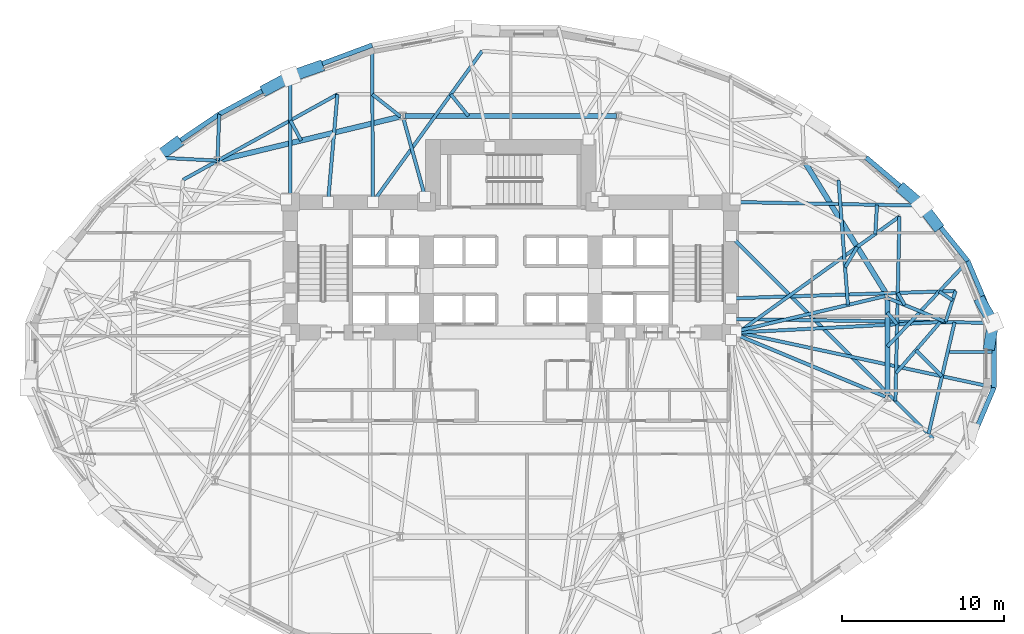
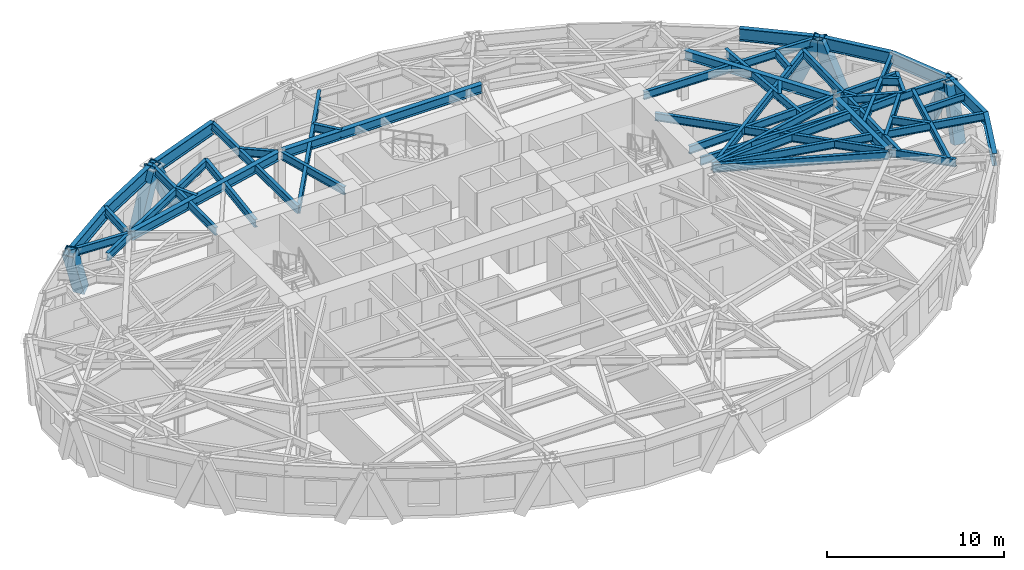
# One storey, part 4 of 14: 46 beams, 7 members.
"""IFC4 building model written with IfcOpenShell, lengths in metres."""

from ifc_helpers import new_model, si_unit, direction, frame, origin, origin_2d, place, context, subcontext, project, spatial, hollow_rectangle, i_section, extrude, material, material_profile, profile_set, type_object, element, save


model = new_model("IFC4")

# Units and contexts
model_context = context("Model", 3, precision=1e-05, world=origin(), true_north=direction((0.0, 1.0)))
body_context = subcontext(model_context, "Body", "Model", "MODEL_VIEW")
ifc_project = project(units=[si_unit("LENGTHUNIT", "METRE"), si_unit("AREAUNIT", "SQUARE_METRE"), si_unit("VOLUMEUNIT", "CUBIC_METRE"), si_unit("PLANEANGLEUNIT", "RADIAN"), si_unit("MASSUNIT", "GRAM", prefix="KILO")], contexts=[model_context])

# Site, building, storey
site_placement = place(None, origin())
site = spatial("IfcSite", under=ifc_project, at=site_placement, CompositionType="ELEMENT")
building_placement = place(site_placement, origin())
building = spatial("IfcBuilding", under=site, at=building_placement, Name="Keldmark Tower", CompositionType="ELEMENT")
storey_placement = place(building_placement, frame((0.0, 0.0, 66.60009765625)))
storey = spatial("IfcBuildingStorey", under=building, at=storey_placement, Name="L17", CompositionType="ELEMENT", Elevation=66.60009765625)

# Beam
ifc_material_1 = material(Name="Steel ASTM A992 Grade 50", Category="steel")
ifc_material_profile_1 = material_profile(ifc_material_1, i_section(OverallWidth=0.19091796875, OverallDepth=0.45703125, WebThickness=0.009033203125, FlangeThickness=0.014404296875, at=origin_2d()), Name="W18X50")
ifc_profile_set_1 = profile_set([ifc_material_profile_1], Name="Steel ASTM A992 Grade 50")
beam_type_1 = type_object("IfcBeamType", Name="Composite Floor Joist W18X50", PredefinedType="JOIST", material=ifc_profile_set_1)
beam_1_placement = place(storey_placement, frame((27.072998046875, 0.199951171875, 3.17138671875), z_axis=(1.0, 0.0, 0.0), x_axis=(0.0, 1.0, 0.0)))
element("IfcBeam", 1, at=beam_1_placement, inside=storey, type_object=beam_type_1, Name="L17 Composite Floor Joist J15", PredefinedType="JOIST", context=body_context, shape_type="SweptSolid", body=[
    extrude(i_section(OverallWidth=0.19091796875, OverallDepth=0.45703125, WebThickness=0.009033203125, FlangeThickness=0.014404296875, at=origin_2d()), origin(), (0.0, 0.0, 1.0), 2.62548828125),
])

# Members
ifc_material_2 = material(Name="Steel ASTM A572 Grade 50", Category="steel")
ifc_material_profile_2 = material_profile(ifc_material_2, hollow_rectangle(XDim=0.699951171875, YDim=0.699951171875, WallThickness=0.054931640625, at=origin_2d()), Name="BOX700X700X55")
ifc_profile_set_2 = profile_set([ifc_material_profile_2], Name="Steel ASTM A572 Grade 50")
member_type = type_object("IfcMemberType", Name="Diagrid Zone 1 Brace BOX700X700X55", PredefinedType="BRACE", material=ifc_profile_set_2)
member_1_placement = place(storey_placement, frame((29.0537109375, 3.239501953125, -0.280029296875), z_axis=(0.187953544679, -0.326027598968, 0.926487706208), x_axis=(0.866345766631, 0.499444704287, 0.0)))
element("IfcMember", 2, at=member_1_placement, inside=storey, type_object=member_type, Name="L17 Perimeter Diagrid Brace 01A", PredefinedType="BRACE", context=body_context, shape_type="SweptSolid", body=[
    extrude(hollow_rectangle(XDim=0.699951171875, YDim=0.699951171875, WallThickness=0.054931640625, at=origin_2d()), origin(), (0.0, 0.0, 1.0), 3.84228515625),
])
member_2_placement = place(storey_placement, frame((26.271728515625, 8.056884765625, -0.280029296875), z_axis=(-0.22735584107, 0.299794538336, 0.926516355126), x_axis=(-0.796786599817, -0.604260799946, 0.0)))
element("IfcMember", 3, at=member_2_placement, inside=storey, type_object=member_type, Name="L17 Perimeter Diagrid Brace 01B", PredefinedType="BRACE", context=body_context, shape_type="SweptSolid", body=[
    extrude(hollow_rectangle(XDim=0.699951171875, YDim=0.699951171875, WallThickness=0.054931640625, at=origin_2d()), origin(), (0.0, 0.0, 1.0), 3.842041015625),
])
member_3_placement = place(storey_placement, frame((24.240478515625, 10.19873046875, -0.280029296875), z_axis=(0.299808298026, -0.258238239896, 0.918383359981), x_axis=(0.652624686666, 0.757681343544, 0.0)))
element("IfcMember", 4, at=member_3_placement, inside=storey, type_object=member_type, Name="L17 Perimeter Diagrid Brace 02A", PredefinedType="BRACE", context=body_context, shape_type="SweptSolid", body=[
    extrude(hollow_rectangle(XDim=0.699951171875, YDim=0.699951171875, WallThickness=0.054931640625, at=origin_2d()), origin(), (0.0, 0.0, 1.0), 3.876220703125),
])
member_4_placement = place(storey_placement, frame((-11.890625, 17.795166015625, -0.280029296875), z_axis=(-0.425806134991, -0.148383276483, 0.89256458515), x_axis=(0.329068165057, -0.944306170024, 0.0)))
element("IfcMember", 5, at=member_4_placement, inside=storey, type_object=member_type, Name="L17 Perimeter Diagrid Brace 05B", PredefinedType="BRACE", context=body_context, shape_type="SweptSolid", body=[
    extrude(hollow_rectangle(XDim=0.699951171875, YDim=0.699951171875, WallThickness=0.054931640625, at=origin_2d()), origin(), (0.0, 0.0, 1.0), 3.98828125),
])
member_5_placement = place(storey_placement, frame((-15.0546875, 16.41943359375, -0.280029296875), z_axis=(0.375411091455, 0.200459220598, 0.90492132989), x_axis=(-0.471027177386, 0.882118698455, 0.0)))
element("IfcMember", 6, at=member_5_placement, inside=storey, type_object=member_type, Name="L17 Perimeter Diagrid Brace 06A", PredefinedType="BRACE", context=body_context, shape_type="SweptSolid", body=[
    extrude(hollow_rectangle(XDim=0.699951171875, YDim=0.699951171875, WallThickness=0.054931640625, at=origin_2d()), origin(), (0.0, 0.0, 1.0), 3.933837890625),
])
member_6_placement = place(storey_placement, frame((-20.639404296875, 13.082763671875, -0.280029296875), z_axis=(-0.323042224597, -0.237726911294, 0.916040193864), x_axis=(0.592707368721, -0.805417888468, 0.0)))
element("IfcMember", 7, at=member_6_placement, inside=storey, type_object=member_type, Name="L17 Perimeter Diagrid Brace 06B", PredefinedType="BRACE", context=body_context, shape_type="SweptSolid", body=[
    extrude(hollow_rectangle(XDim=0.699951171875, YDim=0.699951171875, WallThickness=0.054931640625, at=origin_2d()), origin(), (0.0, 0.0, 1.0), 3.885986328125),
])
member_7_placement = place(storey_placement, frame((29.561279296875, 0.665283203125, -0.280029296875), z_axis=(0.056364601936, 0.35017871578, 0.934985507194), x_axis=(-0.987292409265, 0.158914123374, 0.0)))
element("IfcMember", 8, at=member_7_placement, inside=storey, type_object=member_type, Name="L17 Perimeter Diagrid Brace 16B", PredefinedType="BRACE", context=body_context, shape_type="SweptSolid", body=[
    extrude(hollow_rectangle(XDim=0.699951171875, YDim=0.699951171875, WallThickness=0.054931640625, at=origin_2d()), origin(), (0.0, 0.0, 1.0), 3.807373046875),
])

# Beams
ifc_material_3 = material(Name="Steel ASTM A992 Grade 50", Category="steel")
ifc_material_profile_3 = material_profile(ifc_material_3, i_section(OverallWidth=0.323974609375, OverallDepth=0.611083984375, WebThickness=0.0126953125, FlangeThickness=0.01904296875, at=origin_2d()), Name="W24X104")
ifc_profile_set_3 = profile_set([ifc_material_profile_3], Name="Steel ASTM A992 Grade 50")
beam_type_2 = type_object("IfcBeamType", Name="Primary Floor Girder W24X104", PredefinedType="BEAM", material=ifc_profile_set_3)
beam_2_placement = place(storey_placement, frame((23.180419921875, 3.796142578125, 3.094482421875), z_axis=(-0.526318405849, 0.850287560573, 0.0), x_axis=(-0.850287560573, -0.526318405849, 0.0)))
element("IfcBeam", 9, at=beam_2_placement, inside=storey, type_object=beam_type_2, Name="L17 Floor Ring Girder FG-R01", PredefinedType="BEAM", context=body_context, shape_type="SweptSolid", body=[
    extrude(i_section(OverallWidth=0.323974609375, OverallDepth=0.611083984375, WebThickness=0.0126953125, FlangeThickness=0.01904296875, at=origin_2d()), origin(), (0.0, 0.0, 1.0), 9.51708984375),
])
beam_3_placement = place(storey_placement, frame((6.525146484375, 14.760009765625, 3.094482421875), z_axis=(-1.0, 0.0, 0.0), x_axis=(0.0, -1.0, 0.0)))
element("IfcBeam", 10, at=beam_3_placement, inside=storey, type_object=beam_type_2, Name="L17 Floor Ring Girder FG-R03", PredefinedType="BEAM", context=body_context, shape_type="SweptSolid", body=[
    extrude(i_section(OverallWidth=0.323974609375, OverallDepth=0.611083984375, WebThickness=0.0126953125, FlangeThickness=0.01904296875, at=origin_2d()), origin(), (0.0, 0.0, 1.0), 13.05029296875),
])
beam_4_placement = place(storey_placement, frame((-6.80126953125, 14.727294921875, 3.094482421875), z_axis=(-0.972218707757, -0.2340743136, 0.0), x_axis=(0.2340743136, -0.972218707757, 0.0)))
element("IfcBeam", 11, at=beam_4_placement, inside=storey, type_object=beam_type_2, Name="L17 Floor Ring Girder FG-R04", PredefinedType="BEAM", context=body_context, shape_type="SweptSolid", body=[
    extrude(i_section(OverallWidth=0.323974609375, OverallDepth=0.611083984375, WebThickness=0.0126953125, FlangeThickness=0.01904296875, at=origin_2d()), origin(), (0.0, 0.0, 1.0), 11.479248046875),
])
beam_5_placement = place(storey_placement, frame((23.25390625, -2.47314453125, 3.094482421875), z_axis=(0.0, 1.0, 0.0), x_axis=(-1.0, 0.0, 0.0)))
element("IfcBeam", 12, at=beam_5_placement, inside=storey, type_object=beam_type_2, Name="L17 Floor Ring Girder FG-R12", PredefinedType="BEAM", context=body_context, shape_type="SweptSolid", body=[
    extrude(i_section(OverallWidth=0.323974609375, OverallDepth=0.611083984375, WebThickness=0.0126953125, FlangeThickness=0.01904296875, at=origin_2d()), origin(), (0.0, 0.0, 1.0), 6.01025390625),
])
ifc_material_4 = material(Name="Steel ASTM A992 Grade 50", Category="steel")
ifc_material_profile_4 = material_profile(ifc_material_4, i_section(OverallWidth=0.2099609375, OverallDepth=0.537109375, WebThickness=0.010986328125, FlangeThickness=0.017333984375, at=origin_2d()), Name="W21X68")
ifc_profile_set_4 = profile_set([ifc_material_profile_4], Name="Steel ASTM A992 Grade 50")
beam_type_3 = type_object("IfcBeamType", Name="Radial Tie Girder W21X68", PredefinedType="BEAM", material=ifc_profile_set_4)
beam_6_placement = place(storey_placement, frame((20.816162109375, 3.102294921875, 3.13134765625), z_axis=(-0.075408551021, 0.99715272172, 0.0), x_axis=(-0.99715272172, -0.075408551021, 0.0)))
element("IfcBeam", 13, at=beam_6_placement, inside=storey, type_object=beam_type_3, Name="L17 Sub-Ring Step Girder STP1-M01", PredefinedType="BEAM", context=body_context, shape_type="SweptSolid", body=[
    extrude(i_section(OverallWidth=0.2099609375, OverallDepth=0.537109375, WebThickness=0.010986328125, FlangeThickness=0.017333984375, at=origin_2d()), origin(), (0.0, 0.0, 1.0), 7.740966796875),
])
beam_7_placement = place(storey_placement, frame((-11.278564453125, 9.449951171875, 3.13134765625), z_axis=(0.08664382052, 0.99623935295, 0.0), x_axis=(-0.99623935295, 0.08664382052, 0.0)))
element("IfcBeam", 14, at=beam_7_placement, inside=storey, type_object=beam_type_3, Name="L17 Sub-Ring Step Girder STP1-M05", PredefinedType="BEAM", context=body_context, shape_type="SweptSolid", body=[
    extrude(i_section(OverallWidth=0.2099609375, OverallDepth=0.537109375, WebThickness=0.010986328125, FlangeThickness=0.017333984375, at=origin_2d()), origin(), (0.0, 0.0, 1.0), 6.67529296875),
])
beam_8_placement = place(storey_placement, frame((-10.7001953125, 16.10009765625, 3.13134765625), z_axis=(-0.874813854329, -0.484459203932, 0.0), x_axis=(0.484459203932, -0.874813854329, 0.0)))
element("IfcBeam", 15, at=beam_8_placement, inside=storey, type_object=beam_type_3, Name="L17 Perimeter Collector Ring Beam CRG1-M05", PredefinedType="BEAM", context=body_context, shape_type="SweptSolid", body=[
    extrude(i_section(OverallWidth=0.2099609375, OverallDepth=0.537109375, WebThickness=0.010986328125, FlangeThickness=0.017333984375, at=origin_2d()), origin(), (0.0, 0.0, 1.0), 10.896240234375),
])
beam_9_placement = place(storey_placement, frame((20.64111328125, 5.41796875, 3.13134765625), z_axis=(0.510393160697, 0.859941173287, 0.0), x_axis=(-0.859941173287, 0.510393160697, 0.0)))
element("IfcBeam", 16, at=beam_9_placement, inside=storey, type_object=beam_type_3, Name="L17 Framing Pin Header PH-005", PredefinedType="BEAM", context=body_context, shape_type="SweptSolid", body=[
    extrude(i_section(OverallWidth=0.2099609375, OverallDepth=0.537109375, WebThickness=0.010986328125, FlangeThickness=0.017333984375, at=origin_2d()), origin(), (0.0, 0.0, 1.0), 1.472412109375),
])
beam_10_placement = place(storey_placement, frame((14.050048828125, 1.39990234375, 3.13134765625), z_axis=(0.811662400128, 0.584126825458, 0.0), x_axis=(-0.584126825458, 0.811662400128, 0.0)))
element("IfcBeam", 17, at=beam_10_placement, inside=storey, type_object=beam_type_3, Name="L17 Sub-Ring Step Girder STP2-M01", PredefinedType="BEAM", context=body_context, shape_type="SweptSolid", body=[
    extrude(i_section(OverallWidth=0.2099609375, OverallDepth=0.537109375, WebThickness=0.010986328125, FlangeThickness=0.017333984375, at=origin_2d()), origin(), (0.0, 0.0, 1.0), 12.256591796875),
])
beam_11_placement = place(storey_placement, frame((-2.610107421875, 14.760009765625, 3.13134765625), z_axis=(-0.630863986685, 0.775893440044, 0.0), x_axis=(-0.775893440044, -0.630863986685, 0.0)))
element("IfcBeam", 18, at=beam_11_placement, inside=storey, type_object=beam_type_3, Name="L17 Framing Pin Header PH-007", PredefinedType="BEAM", context=body_context, shape_type="SweptSolid", body=[
    extrude(i_section(OverallWidth=0.2099609375, OverallDepth=0.537109375, WebThickness=0.010986328125, FlangeThickness=0.017333984375, at=origin_2d()), origin(), (0.0, 0.0, 1.0), 1.72705078125),
])
beam_12_placement = place(storey_placement, frame((-8.507080078125, 9.449951171875, 3.13134765625), z_axis=(0.58585823843, 0.810413551506, 0.0), x_axis=(-0.810413551506, 0.58585823843, 0.0)))
element("IfcBeam", 19, at=beam_12_placement, inside=storey, type_object=beam_type_3, Name="L17 Sub-Ring Step Girder STP2-M04", PredefinedType="BEAM", context=body_context, shape_type="SweptSolid", body=[
    extrude(i_section(OverallWidth=0.2099609375, OverallDepth=0.537109375, WebThickness=0.010986328125, FlangeThickness=0.017333984375, at=origin_2d()), origin(), (0.0, 0.0, 1.0), 11.513671875),
])
beam_13_placement = place(storey_placement, frame((23.998291015625, 8.559326171875, 3.13134765625), z_axis=(-0.02194185427, -0.999759248535, 0.0), x_axis=(0.999759248535, -0.02194185427, 0.0)))
element("IfcBeam", 20, at=beam_13_placement, inside=storey, type_object=beam_type_3, Name="L17 Framing Pin Header PH-011", PredefinedType="BEAM", context=body_context, shape_type="SweptSolid", body=[
    extrude(i_section(OverallWidth=0.2099609375, OverallDepth=0.537109375, WebThickness=0.010986328125, FlangeThickness=0.017333984375, at=origin_2d()), origin(), (0.0, 0.0, 1.0), 11.382568359375),
])
beam_14_placement = place(storey_placement, frame((13.60009765625, 7.343017578125, 3.13134765625), z_axis=(0.706580876531, -0.707632294995, 0.0), x_axis=(0.707632294995, 0.706580876531, 0.0)))
element("IfcBeam", 21, at=beam_14_placement, inside=storey, type_object=beam_type_3, Name="L17 Sub-Ring Step Girder STP2-M12", PredefinedType="BEAM", context=body_context, shape_type="SweptSolid", body=[
    extrude(i_section(OverallWidth=0.2099609375, OverallDepth=0.537109375, WebThickness=0.010986328125, FlangeThickness=0.017333984375, at=origin_2d()), origin(), (0.0, 0.0, 1.0), 17.647216796875),
])
beam_15_placement = place(storey_placement, frame((23.25390625, 2.635498046875, 3.13134765625), z_axis=(0.633322212055, -0.773888219136, 0.0), x_axis=(0.773888219136, 0.633322212055, 0.0)))
element("IfcBeam", 22, at=beam_15_placement, inside=storey, type_object=beam_type_3, Name="L17 Framing Pin Header PH-012", PredefinedType="BEAM", context=body_context, shape_type="SweptSolid", body=[
    extrude(i_section(OverallWidth=0.2099609375, OverallDepth=0.537109375, WebThickness=0.010986328125, FlangeThickness=0.017333984375, at=origin_2d()), origin(), (0.0, 0.0, 1.0), 0.94482421875),
])
beam_16_placement = place(storey_placement, frame((14.050048828125, 1.39990234375, 3.13134765625), z_axis=(0.998679704981, 0.051369707604, 0.0), x_axis=(-0.051369707604, 0.998679704981, 0.0)))
element("IfcBeam", 23, at=beam_16_placement, inside=storey, type_object=beam_type_3, Name="L17 Intermediate Radial Step Girder RT-01M", PredefinedType="BEAM", context=body_context, shape_type="SweptSolid", body=[
    extrude(i_section(OverallWidth=0.2099609375, OverallDepth=0.537109375, WebThickness=0.010986328125, FlangeThickness=0.017333984375, at=origin_2d()), origin(), (0.0, 0.0, 1.0), 12.81298828125),
])
beam_17_placement = place(storey_placement, frame((23.25390625, 3.537109375, 3.13134765625), z_axis=(0.924693715852, -0.380711875128, 0.0), x_axis=(0.380711875128, 0.924693715852, 0.0)))
element("IfcBeam", 24, at=beam_17_placement, inside=storey, type_object=beam_type_3, Name="L17 Local Collector Chord RT-01C", PredefinedType="BEAM", context=body_context, shape_type="SweptSolid", body=[
    extrude(i_section(OverallWidth=0.2099609375, OverallDepth=0.537109375, WebThickness=0.010986328125, FlangeThickness=0.017333984375, at=origin_2d()), origin(), (0.0, 0.0, 1.0), 3.884765625),
])
beam_18_placement = place(storey_placement, frame((23.785888671875, -1.113525390625, 3.13134765625), z_axis=(0.653651893172, 0.756795350509, 0.0), x_axis=(-0.756795350509, 0.653651893172, 0.0)))
element("IfcBeam", 25, at=beam_18_placement, inside=storey, type_object=beam_type_3, Name="L17 Framing Pin Header PH-013", PredefinedType="BEAM", context=body_context, shape_type="SweptSolid", body=[
    extrude(i_section(OverallWidth=0.2099609375, OverallDepth=0.537109375, WebThickness=0.010986328125, FlangeThickness=0.017333984375, at=origin_2d()), origin(), (0.0, 0.0, 1.0), 4.168212890625),
])
beam_19_placement = place(storey_placement, frame((13.60009765625, 2.228515625, 3.13134765625), z_axis=(0.999894512941, -0.014524565037, 0.0), x_axis=(0.014524565037, 0.999894512941, 0.0)))
element("IfcBeam", 26, at=beam_19_placement, inside=storey, type_object=beam_type_3, Name="L17 Perimeter Radial Tie Girder RT-01", PredefinedType="BEAM", context=body_context, shape_type="SweptSolid", body=[
    extrude(i_section(OverallWidth=0.2099609375, OverallDepth=0.537109375, WebThickness=0.010986328125, FlangeThickness=0.017333984375, at=origin_2d()), origin(), (0.0, 0.0, 1.0), 16.2373046875),
])
beam_20_placement = place(storey_placement, frame((24.331787109375, 3.093505859375, 3.13134765625), z_axis=(-0.50308445147, 0.864237256018, 0.0), x_axis=(-0.864237256018, -0.50308445147, 0.0)))
element("IfcBeam", 27, at=beam_20_placement, inside=storey, type_object=beam_type_3, Name="L17 Framing Pin Header PH-014", PredefinedType="BEAM", context=body_context, shape_type="SweptSolid", body=[
    extrude(i_section(OverallWidth=0.2099609375, OverallDepth=0.537109375, WebThickness=0.010986328125, FlangeThickness=0.017333984375, at=origin_2d()), origin(), (0.0, 0.0, 1.0), 0.86865234375),
])
beam_21_placement = place(storey_placement, frame((13.60009765625, 3.507080078125, 3.13134765625), z_axis=(0.999463774483, 0.032743907784, 0.0), x_axis=(-0.032743907784, 0.999463774483, 0.0)))
element("IfcBeam", 28, at=beam_21_placement, inside=storey, type_object=beam_type_3, Name="L17 Intermediate Radial Step Girder RT-02M", PredefinedType="BEAM", context=body_context, shape_type="SweptSolid", body=[
    extrude(i_section(OverallWidth=0.2099609375, OverallDepth=0.537109375, WebThickness=0.010986328125, FlangeThickness=0.017333984375, at=origin_2d()), origin(), (0.0, 0.0, 1.0), 13.8681640625),
])
beam_22_placement = place(storey_placement, frame((26.84619140625, 2.05810546875, 3.13134765625), z_axis=(0.307387968013, 0.951584277466, 0.0), x_axis=(-0.951584277466, 0.307387968013, 0.0)))
element("IfcBeam", 29, at=beam_22_placement, inside=storey, type_object=beam_type_3, Name="L17 Local Collector Chord RT-02C", PredefinedType="BEAM", context=body_context, shape_type="SweptSolid", body=[
    extrude(i_section(OverallWidth=0.2099609375, OverallDepth=0.537109375, WebThickness=0.010986328125, FlangeThickness=0.017333984375, at=origin_2d()), origin(), (0.0, 0.0, 1.0), 2.0),
])
beam_23_placement = place(storey_placement, frame((27.276611328125, 3.39013671875, 3.13134765625), z_axis=(-0.837467453668, 0.546487203919, 0.0), x_axis=(-0.546487203919, -0.837467453668, 0.0)))
element("IfcBeam", 30, at=beam_23_placement, inside=storey, type_object=beam_type_3, Name="L17 Framing Pin Header PH-015", PredefinedType="BEAM", context=body_context, shape_type="SweptSolid", body=[
    extrude(i_section(OverallWidth=0.2099609375, OverallDepth=0.537109375, WebThickness=0.010986328125, FlangeThickness=0.017333984375, at=origin_2d()), origin(), (0.0, 0.0, 1.0), 0.984130859375),
])
beam_24_placement = place(storey_placement, frame((23.25390625, 0.531982421875, 3.13134765625), z_axis=(0.685622247374, 0.72795750831, 0.0), x_axis=(-0.72795750831, 0.685622247374, 0.0)))
element("IfcBeam", 31, at=beam_24_placement, inside=storey, type_object=beam_type_3, Name="L17 Perimeter Radial Tie Girder RT-02", PredefinedType="BEAM", context=body_context, shape_type="SweptSolid", body=[
    extrude(i_section(OverallWidth=0.2099609375, OverallDepth=0.537109375, WebThickness=0.010986328125, FlangeThickness=0.017333984375, at=origin_2d()), origin(), (0.0, 0.0, 1.0), 7.2431640625),
])
beam_25_placement = place(storey_placement, frame((22.506103515625, 7.485595703125, 3.13134765625), z_axis=(0.058881083405, 0.998265003903, 0.0), x_axis=(-0.998265003903, 0.058881083405, 0.0)))
element("IfcBeam", 32, at=beam_25_placement, inside=storey, type_object=beam_type_3, Name="L17 Framing Pin Header PH-016", PredefinedType="BEAM", context=body_context, shape_type="SweptSolid", body=[
    extrude(i_section(OverallWidth=0.2099609375, OverallDepth=0.537109375, WebThickness=0.010986328125, FlangeThickness=0.017333984375, at=origin_2d()), origin(), (0.0, 0.0, 1.0), 1.799560546875),
])
beam_26_placement = place(storey_placement, frame((14.050048828125, 9.449951171875, 3.13134765625), z_axis=(0.999807410188, -0.019625048594, 0.0), x_axis=(0.019625048594, 0.999807410188, 0.0)))
element("IfcBeam", 33, at=beam_26_placement, inside=storey, type_object=beam_type_3, Name="L17 Perimeter Radial Tie Girder RT-03", PredefinedType="BEAM", context=body_context, shape_type="SweptSolid", body=[
    extrude(i_section(OverallWidth=0.2099609375, OverallDepth=0.537109375, WebThickness=0.010986328125, FlangeThickness=0.017333984375, at=origin_2d()), origin(), (0.0, 0.0, 1.0), 11.40771484375),
])
beam_27_placement = place(storey_placement, frame((-6.80126953125, 14.727294921875, 3.13134765625), z_axis=(-0.785496536034, 0.618866053261, 0.0), x_axis=(-0.618866053261, -0.785496536034, 0.0)))
element("IfcBeam", 34, at=beam_27_placement, inside=storey, type_object=beam_type_3, Name="L17 Framing Pin Header PH-021", PredefinedType="BEAM", context=body_context, shape_type="SweptSolid", body=[
    extrude(i_section(OverallWidth=0.2099609375, OverallDepth=0.537109375, WebThickness=0.010986328125, FlangeThickness=0.017333984375, at=origin_2d()), origin(), (0.0, 0.0, 1.0), 2.21826171875),
])
beam_28_placement = place(storey_placement, frame((-8.507080078125, 9.449951171875, 3.13134765625), z_axis=(-0.005495115036, 0.999984901741, 0.0), x_axis=(-0.999984901741, -0.005495115036, 0.0)))
element("IfcBeam", 35, at=beam_28_placement, inside=storey, type_object=beam_type_3, Name="L17 Perimeter Radial Tie Girder RT-10", PredefinedType="BEAM", context=body_context, shape_type="SweptSolid", body=[
    extrude(i_section(OverallWidth=0.2099609375, OverallDepth=0.537109375, WebThickness=0.010986328125, FlangeThickness=0.017333984375, at=origin_2d()), origin(), (0.0, 0.0, 1.0), 9.685546875),
])
beam_29_placement = place(storey_placement, frame((-12.939453125, 13.249267578125, 3.13134765625), z_axis=(-0.471577063416, 0.881824854073, 0.0), x_axis=(-0.881824854073, -0.471577063416, 0.0)))
element("IfcBeam", 36, at=beam_29_placement, inside=storey, type_object=beam_type_3, Name="L17 Framing Pin Header PH-022", PredefinedType="BEAM", context=body_context, shape_type="SweptSolid", body=[
    extrude(i_section(OverallWidth=0.2099609375, OverallDepth=0.537109375, WebThickness=0.010986328125, FlangeThickness=0.017333984375, at=origin_2d()), origin(), (0.0, 0.0, 1.0), 1.4091796875),
])
beam_30_placement = place(storey_placement, frame((-13.60009765625, 9.89990234375, 3.13134765625), z_axis=(-0.000829187111, 0.999999656224, 0.0), x_axis=(-0.999999656224, -0.000829187111, 0.0)))
element("IfcBeam", 37, at=beam_30_placement, inside=storey, type_object=beam_type_3, Name="L17 Perimeter Radial Tie Girder RT-11", PredefinedType="BEAM", context=body_context, shape_type="SweptSolid", body=[
    extrude(i_section(OverallWidth=0.2099609375, OverallDepth=0.537109375, WebThickness=0.010986328125, FlangeThickness=0.017333984375, at=origin_2d()), origin(), (0.0, 0.0, 1.0), 7.36083984375),
])
beam_31_placement = place(storey_placement, frame((-18.09765625, 12.00732421875, 3.13134765625), z_axis=(0.034066282939, 0.999419575737, 0.0), x_axis=(-0.999419575737, 0.034066282939, 0.0)))
element("IfcBeam", 38, at=beam_31_placement, inside=storey, type_object=beam_type_3, Name="L17 Perimeter Column Bracket RT-12", PredefinedType="BEAM", context=body_context, shape_type="SweptSolid", body=[
    extrude(i_section(OverallWidth=0.2099609375, OverallDepth=0.537109375, WebThickness=0.010986328125, FlangeThickness=0.017333984375, at=origin_2d()), origin(), (0.0, 0.0, 1.0), 2.86669921875),
])
beam_32_placement = place(storey_placement, frame((-18.09765625, 12.00732421875, 3.13134765625), z_axis=(-0.998670012525, 0.051557793632, 0.0), x_axis=(-0.051557793632, -0.998670012525, 0.0)))
element("IfcBeam", 39, at=beam_32_placement, inside=storey, type_object=beam_type_3, Name="L17 Perimeter Column Bracket RT-13", PredefinedType="BEAM", context=body_context, shape_type="SweptSolid", body=[
    extrude(i_section(OverallWidth=0.2099609375, OverallDepth=0.537109375, WebThickness=0.010986328125, FlangeThickness=0.017333984375, at=origin_2d()), origin(), (0.0, 0.0, 1.0), 3.84033203125),
])
beam_33_placement = place(storey_placement, frame((27.400390625, 2.028076171875, 3.13134765625), z_axis=(-0.227049764291, -0.973883157538, 0.0), x_axis=(0.973883157538, -0.227049764291, 0.0)))
element("IfcBeam", 40, at=beam_33_placement, inside=storey, type_object=beam_type_3, Name="L17 Framing Pin Header PH-043", PredefinedType="BEAM", context=body_context, shape_type="SweptSolid", body=[
    extrude(i_section(OverallWidth=0.2099609375, OverallDepth=0.537109375, WebThickness=0.010986328125, FlangeThickness=0.017333984375, at=origin_2d()), origin(), (0.0, 0.0, 1.0), 7.08056640625),
])
beam_34_placement = place(storey_placement, frame((25.01220703125, 0.305908203125, 3.13134765625), z_axis=(0.707803411209, -0.706409464179, 0.0), x_axis=(0.706409464179, 0.707803411209, 0.0)))
element("IfcBeam", 41, at=beam_34_placement, inside=storey, type_object=beam_type_3, Name="L17 Framing Pin Header PH-048", PredefinedType="BEAM", context=body_context, shape_type="SweptSolid", body=[
    extrude(i_section(OverallWidth=0.2099609375, OverallDepth=0.537109375, WebThickness=0.010986328125, FlangeThickness=0.017333984375, at=origin_2d()), origin(), (0.0, 0.0, 1.0), 2.27685546875),
])
beam_35_placement = place(storey_placement, frame((14.050048828125, 1.39990234375, 3.13134765625), z_axis=(0.977676107909, -0.210117652812, 0.0), x_axis=(0.210117652812, 0.977676107909, 0.0)))
element("IfcBeam", 42, at=beam_35_placement, inside=storey, type_object=beam_type_3, Name="L17 Perimeter Radial Tie Girder RT-32R", PredefinedType="BEAM", context=body_context, shape_type="SweptSolid", body=[
    extrude(i_section(OverallWidth=0.2099609375, OverallDepth=0.537109375, WebThickness=0.010986328125, FlangeThickness=0.017333984375, at=origin_2d()), origin(), (0.0, 0.0, 1.0), 16.14599609375),
])
ifc_material_5 = material(Name="Steel ASTM A992 Grade 50", Category="steel")
ifc_material_profile_5 = material_profile(ifc_material_5, i_section(OverallWidth=0.214111328125, OverallDepth=0.549072265625, WebThickness=0.0146484375, FlangeThickness=0.023681640625, at=origin_2d()), Name="W21X93")
ifc_profile_set_5 = profile_set([ifc_material_profile_5], Name="Steel ASTM A992 Grade 50")
beam_type_4 = type_object("IfcBeamType", Name="Radial Tie Girder W21X93", PredefinedType="BEAM", material=ifc_profile_set_5)
beam_36_placement = place(storey_placement, frame((23.11767578125, 3.64501953125, 3.12548828125), z_axis=(-0.973287364179, -0.229590301909, 0.0), x_axis=(0.229590301909, -0.973287364179, 0.0)))
element("IfcBeam", 43, at=beam_36_placement, inside=storey, type_object=beam_type_4, Name="L17 Floor Radial Girder FG-C01", PredefinedType="BEAM", context=body_context, shape_type="SweptSolid", body=[
    extrude(i_section(OverallWidth=0.214111328125, OverallDepth=0.549072265625, WebThickness=0.0146484375, FlangeThickness=0.023681640625, at=origin_2d()), origin(), (0.0, 0.0, 1.0), 9.458740234375),
])
beam_37_placement = place(storey_placement, frame((-6.6279296875, 14.625, 3.12548828125), z_axis=(0.265984786353, -0.963977226613, 0.0), x_axis=(0.963977226613, 0.265984786353, 0.0)))
element("IfcBeam", 44, at=beam_37_placement, inside=storey, type_object=beam_type_4, Name="L17 Floor Radial Girder FG-C04", PredefinedType="BEAM", context=body_context, shape_type="SweptSolid", body=[
    extrude(i_section(OverallWidth=0.214111328125, OverallDepth=0.549072265625, WebThickness=0.0146484375, FlangeThickness=0.023681640625, at=origin_2d()), origin(), (0.0, 0.0, 1.0), 5.04833984375),
])
beam_38_placement = place(storey_placement, frame((23.124755859375, -2.5595703125, 3.12548828125), z_axis=(-0.923390978102, 0.383860784088, 0.0), x_axis=(-0.383860784088, -0.923390978102, 0.0)))
element("IfcBeam", 45, at=beam_38_placement, inside=storey, type_object=beam_type_4, Name="L17 Floor Radial Girder FG-C12", PredefinedType="BEAM", context=body_context, shape_type="SweptSolid", body=[
    extrude(i_section(OverallWidth=0.214111328125, OverallDepth=0.549072265625, WebThickness=0.0146484375, FlangeThickness=0.023681640625, at=origin_2d()), origin(), (0.0, 0.0, 1.0), 9.994873046875),
])
ifc_material_6 = material(Name="Steel ASTM A992 Grade 50", Category="steel")
ifc_material_profile_6 = material_profile(ifc_material_6, i_section(OverallWidth=0.2919921875, OverallDepth=0.85888671875, WebThickness=0.01708984375, FlangeThickness=0.031005859375, at=origin_2d()), Name="W33X169")
ifc_profile_set_6 = profile_set([ifc_material_profile_6], Name="Steel ASTM A992 Grade 50")
beam_type_5 = type_object("IfcBeamType", Name="Spandrel Ring Beam W33X169", PredefinedType="SPANDREL", material=ifc_profile_set_6)
beam_39_placement = place(storey_placement, frame((29.835693359375, 1.99267578125, 2.970458984375), z_axis=(-0.39024393086, 0.92071150445, 0.0), x_axis=(-0.92071150445, -0.39024393086, 0.0)))
element("IfcBeam", 46, at=beam_39_placement, inside=storey, type_object=beam_type_5, Name="L17 Perimeter Spandrel Ring Beam SRB-01", PredefinedType="SPANDREL", context=body_context, shape_type="SweptSolid", body=[
    extrude(i_section(OverallWidth=0.2919921875, OverallDepth=0.85888671875, WebThickness=0.01708984375, FlangeThickness=0.031005859375, at=origin_2d()), origin(), (0.0, 0.0, 1.0), 4.140380859375),
])
beam_40_placement = place(storey_placement, frame((28.219970703125, 5.8046875, 2.970458984375), z_axis=(-0.628471460058, 0.77783264517, 0.0), x_axis=(-0.77783264517, -0.628471460058, 0.0)))
element("IfcBeam", 47, at=beam_40_placement, inside=storey, type_object=beam_type_5, Name="L17 Perimeter Spandrel Ring Beam SRB-02", PredefinedType="SPANDREL", context=body_context, shape_type="SweptSolid", body=[
    extrude(i_section(OverallWidth=0.2919921875, OverallDepth=0.85888671875, WebThickness=0.01708984375, FlangeThickness=0.031005859375, at=origin_2d()), origin(), (0.0, 0.0, 1.0), 4.398681640625),
])
beam_41_placement = place(storey_placement, frame((25.45556640625, 9.22607421875, 2.970458984375), z_axis=(-0.763546839071, 0.645752448346, 0.0), x_axis=(-0.645752448346, -0.763546839071, 0.0)))
element("IfcBeam", 48, at=beam_41_placement, inside=storey, type_object=beam_type_5, Name="L17 Perimeter Spandrel Ring Beam SRB-03", PredefinedType="SPANDREL", context=body_context, shape_type="SweptSolid", body=[
    extrude(i_section(OverallWidth=0.2919921875, OverallDepth=0.85888671875, WebThickness=0.01708984375, FlangeThickness=0.031005859375, at=origin_2d()), origin(), (0.0, 0.0, 1.0), 4.613525390625),
])
beam_42_placement = place(storey_placement, frame((-8.560302734375, 19.13525390625, 2.970458984375), z_axis=(-0.937405813917, -0.348238912292, 0.0), x_axis=(0.348238912292, -0.937405813917, 0.0)))
element("IfcBeam", 49, at=beam_42_placement, inside=storey, type_object=beam_type_5, Name="L17 Perimeter Spandrel Ring Beam SRB-10", PredefinedType="SPANDREL", context=body_context, shape_type="SweptSolid", body=[
    extrude(i_section(OverallWidth=0.2919921875, OverallDepth=0.85888671875, WebThickness=0.01708984375, FlangeThickness=0.031005859375, at=origin_2d()), origin(), (0.0, 0.0, 1.0), 5.3828125),
])
beam_43_placement = place(storey_placement, frame((-13.606201171875, 17.2607421875, 2.970458984375), z_axis=(-0.878583097087, -0.477589511519, 0.0), x_axis=(0.477589511519, -0.878583097087, 0.0)))
element("IfcBeam", 50, at=beam_43_placement, inside=storey, type_object=beam_type_5, Name="L17 Perimeter Spandrel Ring Beam SRB-11", PredefinedType="SPANDREL", context=body_context, shape_type="SweptSolid", body=[
    extrude(i_section(OverallWidth=0.2919921875, OverallDepth=0.85888671875, WebThickness=0.01708984375, FlangeThickness=0.031005859375, at=origin_2d()), origin(), (0.0, 0.0, 1.0), 5.0009765625),
])
beam_44_placement = place(storey_placement, frame((-18.0, 14.872314453125, 2.970458984375), z_axis=(-0.827645395623, -0.561251368911, 0.0), x_axis=(0.561251368911, -0.827645395623, 0.0)))
element("IfcBeam", 51, at=beam_44_placement, inside=storey, type_object=beam_type_5, Name="L17 Perimeter Spandrel Ring Beam SRB-12", PredefinedType="SPANDREL", context=body_context, shape_type="SweptSolid", body=[
    extrude(i_section(OverallWidth=0.2919921875, OverallDepth=0.85888671875, WebThickness=0.01708984375, FlangeThickness=0.031005859375, at=origin_2d()), origin(), (0.0, 0.0, 1.0), 4.751953125),
])
beam_45_placement = place(storey_placement, frame((28.219970703125, -5.8046875, 2.970458984375), z_axis=(0.39024393086, 0.92071150445, 0.0), x_axis=(-0.92071150445, 0.39024393086, 0.0)))
element("IfcBeam", 52, at=beam_45_placement, inside=storey, type_object=beam_type_5, Name="L17 Perimeter Spandrel Ring Beam SRB-31", PredefinedType="SPANDREL", context=body_context, shape_type="SweptSolid", body=[
    extrude(i_section(OverallWidth=0.2919921875, OverallDepth=0.85888671875, WebThickness=0.01708984375, FlangeThickness=0.031005859375, at=origin_2d()), origin(), (0.0, 0.0, 1.0), 4.140380859375),
])
beam_46_placement = place(storey_placement, frame((29.835693359375, -1.99267578125, 2.970458984375), z_axis=(0.0, 1.0, 0.0), x_axis=(-1.0, 0.0, 0.0)))
element("IfcBeam", 53, at=beam_46_placement, inside=storey, type_object=beam_type_5, Name="L17 Perimeter Spandrel Ring Beam SRB-32", PredefinedType="SPANDREL", context=body_context, shape_type="SweptSolid", body=[
    extrude(i_section(OverallWidth=0.2919921875, OverallDepth=0.85888671875, WebThickness=0.01708984375, FlangeThickness=0.031005859375, at=origin_2d()), origin(), (0.0, 0.0, 1.0), 3.9853515625),
])

save(model, "model.ifc")
